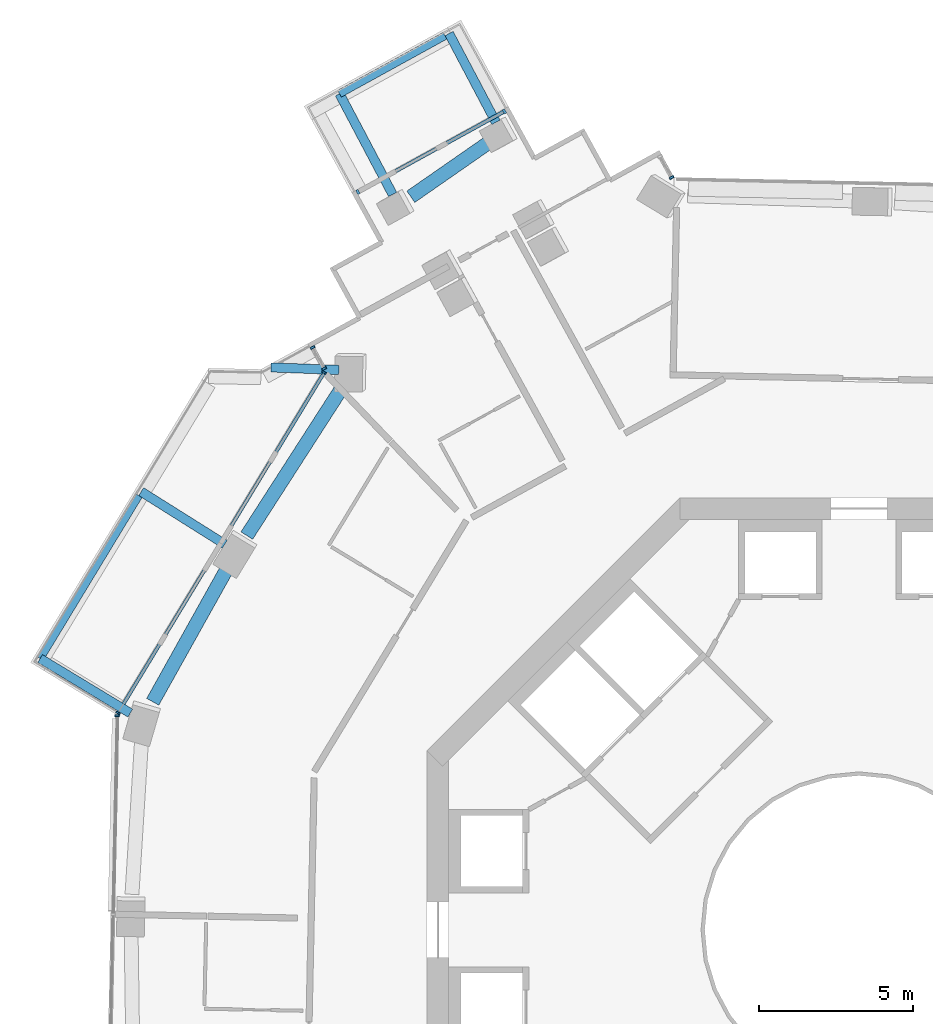
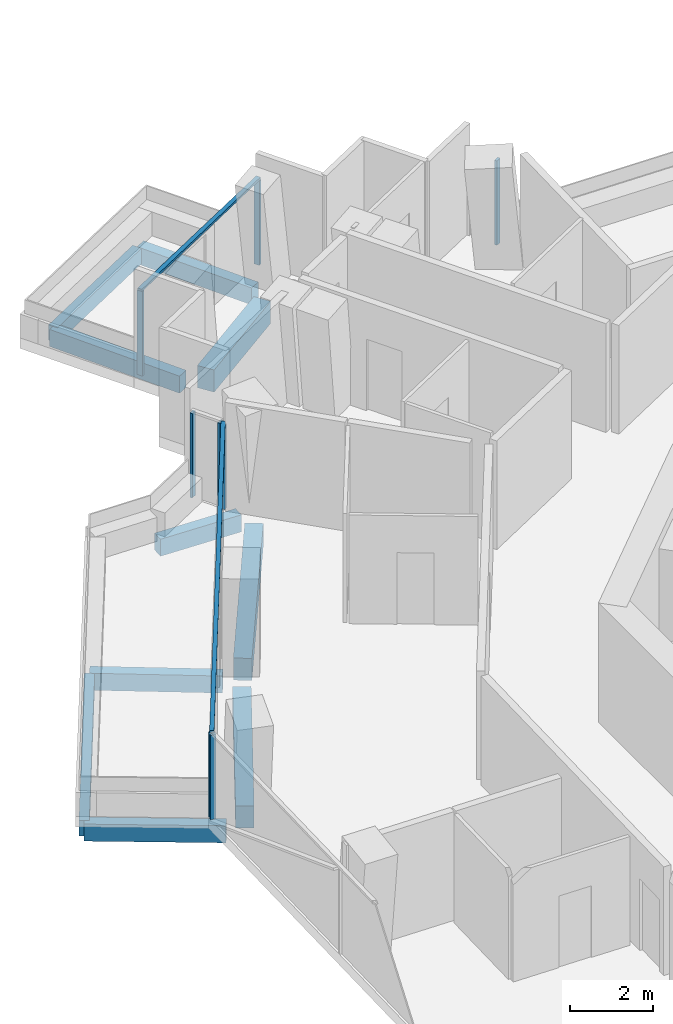
# One storey, part 7 of 22: 10 beams, 10 members, 5 elements without a shape of their own.
"""IFC4 building model written with IfcOpenShell, lengths in metres."""

from ifc_helpers import new_model, si_unit, direction, frame, origin, origin_2d, place, context, subcontext, project, spatial, rectangle, extrude, material, layer, layer_set, material_profile, profile_set, type_object, element, aggregate, save


model = new_model("IFC4")

# Units and contexts
model_context = context("Model", 3, precision=1e-05, world=origin(), true_north=direction((0.0, 1.0)))
body_context = subcontext(model_context, "Body", "Model", "MODEL_VIEW")
ifc_project = project(units=[si_unit("LENGTHUNIT", "METRE"), si_unit("AREAUNIT", "SQUARE_METRE"), si_unit("VOLUMEUNIT", "CUBIC_METRE"), si_unit("PLANEANGLEUNIT", "RADIAN"), si_unit("MASSUNIT", "GRAM", prefix="KILO")], contexts=[model_context])

# Site, building, storey
site_placement = place(None, origin())
site = spatial("IfcSite", under=ifc_project, at=site_placement, CompositionType="ELEMENT")
building_placement = place(site_placement, origin())
building = spatial("IfcBuilding", under=site, at=building_placement, Name="Verdalira Terraces Hotel", CompositionType="ELEMENT")
storey_placement = place(building_placement, frame((0.0, 0.0, 150.5)))
storey = spatial("IfcBuildingStorey", under=building, at=storey_placement, Name="L36", CompositionType="ELEMENT", Elevation=150.5)

# Beams
ifc_material_1 = material(Name="Concrete C40", Category="concrete")
ifc_material_profile_1 = material_profile(ifc_material_1, rectangle(XDim=0.300049, YDim=0.5, at=origin_2d()), Name="RC 300X500")
ifc_profile_set_1 = profile_set([ifc_material_profile_1], Name="Concrete C40")
beam_type_1 = type_object("IfcBeamType", Name="Balcony cantilever beam RC 300X500 C40", PredefinedType="BEAM", material=ifc_profile_set_1)
beam_1_placement = place(storey_placement, frame((-11.766113, 26.173584, -0.560059), z_axis=(-0.466998195, 0.884258269, 0.0), x_axis=(-0.884258269, -0.466998195, 0.0)))
element("IfcBeam", 1, at=beam_1_placement, inside=storey, type_object=beam_type_1, Name="Balcony cantilever beam R05-1", PredefinedType="BEAM", context=body_context, shape_type="SweptSolid", body=[
    extrude(rectangle(XDim=0.300049, YDim=0.5, at=origin_2d()), origin(), (0.0, 0.0, 1.0), 3.254395),
])
beam_2_placement = place(storey_placement, frame((-15.115479, 23.837158, -0.560059), z_axis=(-0.466987261, 0.884264043, 0.0), x_axis=(-0.884264043, -0.466987261, 0.0)))
element("IfcBeam", 2, at=beam_2_placement, inside=storey, type_object=beam_type_1, Name="Balcony cantilever beam R05-2", PredefinedType="BEAM", context=body_context, shape_type="SweptSolid", body=[
    extrude(rectangle(XDim=0.300049, YDim=0.5, at=origin_2d()), origin(), (0.0, 0.0, 1.0), 3.688232),
])
beam_3_placement = place(storey_placement, frame((-20.556396, 12.499023, -0.560059), z_axis=(-0.846551116, 0.532307437, 0.0), x_axis=(-0.532307437, -0.846551116, 0.0)))
element("IfcBeam", 3, at=beam_3_placement, inside=storey, type_object=beam_type_1, Name="Balcony cantilever beam R10-1", PredefinedType="BEAM", context=body_context, shape_type="SweptSolid", body=[
    extrude(rectangle(XDim=0.300049, YDim=0.5, at=origin_2d()), origin(), (0.0, 0.0, 1.0), 3.200928),
])
beam_4_placement = place(storey_placement, frame((-23.618408, 7.02417, -0.560059), z_axis=(-0.855367633, 0.51802144, 0.0), x_axis=(-0.51802144, -0.855367633, 0.0)))
element("IfcBeam", 4, at=beam_4_placement, inside=storey, type_object=beam_type_1, Name="Balcony cantilever beam R10-2", PredefinedType="BEAM", context=body_context, shape_type="SweptSolid", body=[
    extrude(rectangle(XDim=0.300049, YDim=0.5, at=origin_2d()), origin(), (0.0, 0.0, 1.0), 3.417236),
])
beam_5_placement = place(storey_placement, frame((-16.858398, 18.147705, -0.560059), z_axis=(-0.999291208, 0.037644152, 0.0), x_axis=(-0.037644152, -0.999291208, 0.0)))
element("IfcBeam", 5, at=beam_5_placement, inside=storey, type_object=beam_type_1, Name="Balcony cantilever beam R10-3", PredefinedType="BEAM", context=body_context, shape_type="SweptSolid", body=[
    extrude(rectangle(XDim=0.300049, YDim=0.5, at=origin_2d()), origin(), (0.0, 0.0, 1.0), 2.198486),
])
ifc_material_2 = material(Name="Concrete C40", Category="concrete")
ifc_material_profile_2 = material_profile(ifc_material_2, rectangle(XDim=0.25, YDim=0.449951, at=origin_2d()), Name="RC 250X450")
ifc_profile_set_2 = profile_set([ifc_material_profile_2], Name="Concrete C40")
beam_type_2 = type_object("IfcBeamType", Name="Balcony edge beam RC 250X450 C40", PredefinedType="BEAM", material=ifc_profile_set_2)
beam_6_placement = place(storey_placement, frame((-13.417236, 28.979004, -0.534912), z_axis=(-0.87632285, -0.481724259, 0.0), x_axis=(0.481724259, -0.87632285, 0.0)))
element("IfcBeam", 6, at=beam_6_placement, inside=storey, type_object=beam_type_2, Name="Balcony edge beam R05-1", PredefinedType="BEAM", context=body_context, shape_type="SweptSolid", body=[
    extrude(rectangle(XDim=0.25, YDim=0.449951, at=origin_2d()), origin(), (0.0, 0.0, 1.0), 3.90332),
])
beam_7_placement = place(storey_placement, frame((-23.34375, 14.074463, -0.534912), z_axis=(-0.518033469, -0.855360348, 0.0), x_axis=(0.855360348, -0.518033469, 0.0)))
element("IfcBeam", 7, at=beam_7_placement, inside=storey, type_object=beam_type_2, Name="Balcony edge beam R10-1", PredefinedType="BEAM", context=body_context, shape_type="SweptSolid", body=[
    extrude(rectangle(XDim=0.25, YDim=0.449951, at=origin_2d()), origin(), (0.0, 0.0, 1.0), 6.172852),
])

# Curtain wall, members
ifc_material_3 = material(Name="Clear glass", Category="glass")
ifc_layer_1 = layer(ifc_material_3, 0.14990234375)
ifc_layer_set_1 = layer_set([ifc_layer_1], Name="CW1 curtain wall")
curtain_wall_type_1 = type_object("IfcCurtainWallType", Name="CW1 curtain wall", PredefinedType="NOTDEFINED", material=ifc_layer_set_1)
curtain_wall_1_placement = place(storey_placement, origin())
curtain_wall_1 = element("IfcCurtainWall", 8, at=curtain_wall_1_placement, inside=storey, type_object=curtain_wall_type_1, Name="CW1 curtain wall L36 edge 11", PredefinedType="NOTDEFINED")
ifc_material_4 = material(Name="Terracotta frame", Category="masonry")
ifc_material_profile_3 = material_profile(ifc_material_4, rectangle(XDim=0.060059, YDim=0.149902, at=origin_2d()), Name="MU 60x150")
ifc_profile_set_3 = profile_set([ifc_material_profile_3], Name="Terracotta frame")
member_type_1 = type_object("IfcMemberType", Name="CW1 mullion 60x150", PredefinedType="MULLION", material=ifc_profile_set_3)
member_1_placement = place(storey_placement, frame((-17.333984, 18.061768, 0.0), z_axis=(0.0, 0.0, 1.0), x_axis=(-0.518027009, -0.85536426, 0.0)))
member_1 = element("IfcMember", 9, at=member_1_placement, type_object=member_type_1, Name="CW1 mullion", PredefinedType="MULLION", context=body_context, shape_type="SweptSolid", body=[
    extrude(rectangle(XDim=0.060059, YDim=0.149902, at=origin_2d()), origin(), (0.0, 0.0, 1.0), 2.475098),
])
member_2_placement = place(storey_placement, frame((-24.016357, 7.027832, 0.0), z_axis=(0.0, 0.0, 1.0), x_axis=(-0.518027009, -0.85536426, 0.0)))
member_2 = element("IfcMember", 10, at=member_2_placement, type_object=member_type_1, Name="CW1 mullion", PredefinedType="MULLION", context=body_context, shape_type="SweptSolid", body=[
    extrude(rectangle(XDim=0.060059, YDim=0.149902, at=origin_2d()), origin(), (0.0, 0.0, 1.0), 2.475098),
])

# Curtain wall, member
curtain_wall_2_placement = place(storey_placement, origin())
curtain_wall_2 = element("IfcCurtainWall", 11, at=curtain_wall_2_placement, inside=storey, type_object=curtain_wall_type_1, Name="CW1 curtain wall L36 edge 12", PredefinedType="NOTDEFINED")
member_3_placement = place(storey_placement, frame((-24.043457, 6.934814, 0.0), z_axis=(0.0, 0.0, 1.0), x_axis=(-0.02094242, -0.999780683, 0.0)))
member_3 = element("IfcMember", 12, at=member_3_placement, type_object=member_type_1, Name="CW1 mullion", PredefinedType="MULLION", context=body_context, shape_type="SweptSolid", body=[
    extrude(rectangle(XDim=0.060059, YDim=0.149902, at=origin_2d()), origin(), (0.0, 0.0, 1.0), 2.475098),
])
aggregate(curtain_wall_2, [member_3])

# Member
ifc_material_5 = material(Name="Terracotta frame", Category="masonry")
ifc_material_profile_4 = material_profile(ifc_material_5, rectangle(XDim=0.110107, YDim=0.064941, at=origin_2d()), Name="TR 65x110")
ifc_profile_set_4 = profile_set([ifc_material_profile_4], Name="Terracotta frame")
member_type_2 = type_object("IfcMemberType", Name="CW1 transom 65x110", PredefinedType="USERDEFINED", material=ifc_profile_set_4)
member_4_placement = place(storey_placement, frame((-17.318359, 18.087402, 2.507568), z_axis=(-0.51803741, -0.855357961, 0.0), x_axis=(0.855357961, -0.51803741, 0.0)))
member_4 = element("IfcMember", 13, at=member_4_placement, type_object=member_type_2, Name="CW1 transom", ObjectType="TRANSOM", PredefinedType="USERDEFINED", context=body_context, shape_type="SweptSolid", body=[
    extrude(rectangle(XDim=0.110107, YDim=0.064941, at=origin_2d()), origin(), (0.0, 0.0, 1.0), 12.959717),
])

aggregate(curtain_wall_1, [member_1, member_2, member_4])

# Curtain wall, member
ifc_material_6 = material(Name="Clear glass", Category="glass")
ifc_layer_2 = layer(ifc_material_6, 0.14990234375)
ifc_layer_set_2 = layer_set([ifc_layer_2], Name="CW2 curtain wall")
curtain_wall_type_2 = type_object("IfcCurtainWallType", Name="CW2 curtain wall", PredefinedType="NOTDEFINED", material=ifc_layer_set_2)
curtain_wall_3_placement = place(storey_placement, origin())
curtain_wall_3 = element("IfcCurtainWall", 14, at=curtain_wall_3_placement, inside=storey, type_object=curtain_wall_type_2, Name="CW2 curtain wall L36 edge 0", PredefinedType="NOTDEFINED")
ifc_material_7 = material(Name="Terracotta frame", Category="masonry")
ifc_material_profile_5 = material_profile(ifc_material_7, rectangle(XDim=0.070068, YDim=0.149902, at=origin_2d()), Name="MU 70x150")
ifc_profile_set_5 = profile_set([ifc_material_profile_5], Name="Terracotta frame")
member_type_3 = type_object("IfcMemberType", Name="CW2 mullion 70x150", PredefinedType="MULLION", material=ifc_profile_set_5)
member_5_placement = place(storey_placement, frame((-6.073242, 24.383789, 0.0), z_axis=(0.0, 0.0, 1.0), x_axis=(-0.481753674, 0.87630668, 0.0)))
member_5 = element("IfcMember", 15, at=member_5_placement, type_object=member_type_3, Name="CW2 mullion", PredefinedType="MULLION", context=body_context, shape_type="SweptSolid", body=[
    extrude(rectangle(XDim=0.070068, YDim=0.149902, at=origin_2d()), origin(), (0.0, 0.0, 1.0), 2.475098),
])
aggregate(curtain_wall_3, [member_5])

# Curtain wall, members
curtain_wall_4_placement = place(storey_placement, origin())
curtain_wall_4 = element("IfcCurtainWall", 16, at=curtain_wall_4_placement, inside=storey, type_object=curtain_wall_type_2, Name="CW2 curtain wall L36 edge 10", PredefinedType="NOTDEFINED")
member_6_placement = place(storey_placement, frame((-17.709473, 18.876709, 0.0), z_axis=(0.0, 0.0, 1.0), x_axis=(0.481753674, -0.87630668, 0.0)))
member_6 = element("IfcMember", 17, at=member_6_placement, type_object=member_type_3, Name="CW2 mullion", PredefinedType="MULLION", context=body_context, shape_type="SweptSolid", body=[
    extrude(rectangle(XDim=0.070068, YDim=0.149902, at=origin_2d()), origin(), (0.0, 0.0, 1.0), 2.475098),
])
member_7_placement = place(storey_placement, frame((-17.33374, 18.193115, 0.0), z_axis=(0.0, 0.0, 1.0), x_axis=(0.481753674, -0.87630668, 0.0)))
member_7 = element("IfcMember", 18, at=member_7_placement, type_object=member_type_3, Name="CW2 mullion", PredefinedType="MULLION", context=body_context, shape_type="SweptSolid", body=[
    extrude(rectangle(XDim=0.070068, YDim=0.149902, at=origin_2d()), origin(), (0.0, 0.0, 1.0), 2.475098),
])
aggregate(curtain_wall_4, [member_6, member_7])

ifc_material_8 = material(Name="Clear glass", Category="glass")
ifc_layer_3 = layer(ifc_material_8, 0.14990234375)
ifc_layer_set_3 = layer_set([ifc_layer_3], Name="CW3 curtain wall")
curtain_wall_type_3 = type_object("IfcCurtainWallType", Name="CW3 curtain wall", PredefinedType="NOTDEFINED", material=ifc_layer_set_3)
curtain_wall_5_placement = place(storey_placement, origin())
curtain_wall_5 = element("IfcCurtainWall", 19, at=curtain_wall_5_placement, inside=storey, type_object=curtain_wall_type_3, Name="CW3 curtain wall L36 edge 5", PredefinedType="NOTDEFINED")
ifc_material_9 = material(Name="Terracotta frame", Category="masonry")
ifc_material_profile_6 = material_profile(ifc_material_9, rectangle(XDim=0.080078, YDim=0.149902, at=origin_2d()), Name="MU 80x150")
ifc_profile_set_6 = profile_set([ifc_material_profile_6], Name="Terracotta frame")
member_type_4 = type_object("IfcMemberType", Name="CW3 mullion 80x150", PredefinedType="MULLION", material=ifc_profile_set_6)
member_8_placement = place(storey_placement, frame((-11.491699, 26.528564, 0.0), z_axis=(0.0, 0.0, 1.0), x_axis=(-0.87630668, -0.481753674, 0.0)))
member_8 = element("IfcMember", 20, at=member_8_placement, type_object=member_type_4, Name="CW3 mullion", PredefinedType="MULLION", context=body_context, shape_type="SweptSolid", body=[
    extrude(rectangle(XDim=0.080078, YDim=0.149902, at=origin_2d()), origin(), (0.0, 0.0, 1.0), 2.475098),
])
member_9_placement = place(storey_placement, frame((-16.241211, 23.91748, 0.0), z_axis=(0.0, 0.0, 1.0), x_axis=(-0.87630668, -0.481753674, 0.0)))
member_9 = element("IfcMember", 21, at=member_9_placement, type_object=member_type_4, Name="CW3 mullion", PredefinedType="MULLION", context=body_context, shape_type="SweptSolid", body=[
    extrude(rectangle(XDim=0.080078, YDim=0.149902, at=origin_2d()), origin(), (0.0, 0.0, 1.0), 2.475098),
])
ifc_material_10 = material(Name="Terracotta frame", Category="masonry")
ifc_material_profile_7 = material_profile(ifc_material_10, rectangle(XDim=0.120117, YDim=0.064941, at=origin_2d()), Name="TR 65x120")
ifc_profile_set_7 = profile_set([ifc_material_profile_7], Name="Terracotta frame")
member_type_5 = type_object("IfcMemberType", Name="CW3 transom 65x120", PredefinedType="USERDEFINED", material=ifc_profile_set_7)
member_10_placement = place(storey_placement, frame((-11.456543, 26.547852, 2.507568), z_axis=(-0.876311484, -0.481744936, 0.0), x_axis=(0.481744936, -0.876311484, 0.0)))
member_10 = element("IfcMember", 22, at=member_10_placement, type_object=member_type_5, Name="CW3 transom", ObjectType="TRANSOM", PredefinedType="USERDEFINED", context=body_context, shape_type="SweptSolid", body=[
    extrude(rectangle(XDim=0.120117, YDim=0.064941, at=origin_2d()), origin(), (0.0, 0.0, 1.0), 5.500244),
])
aggregate(curtain_wall_5, [member_8, member_9, member_10])

# Beams
ifc_material_11 = material(Name="Concrete C50", Category="concrete")
ifc_material_profile_8 = material_profile(ifc_material_11, rectangle(XDim=0.449951, YDim=0.649902, at=origin_2d()), Name="RC 450X650")
ifc_profile_set_8 = profile_set([ifc_material_profile_8], Name="Concrete C50")
beam_type_3 = type_object("IfcBeamType", Name="Spandrel beam RC 450X650 C50", PredefinedType="SPANDREL", material=ifc_profile_set_8)
beam_8_placement = place(storey_placement, frame((-11.904785, 25.583496, -0.63501), z_axis=(-0.821056359, -0.570847138, 0.0), x_axis=(0.570847138, -0.821056359, 0.0)))
element("IfcBeam", 23, at=beam_8_placement, inside=storey, type_object=beam_type_3, Name="Spandrel beam B01", PredefinedType="SPANDREL", context=body_context, shape_type="SweptSolid", body=[
    extrude(rectangle(XDim=0.449951, YDim=0.649902, at=origin_2d()), origin(), (0.0, 0.0, 1.0), 3.192627),
])
beam_9_placement = place(storey_placement, frame((-16.772217, 17.547119, -0.63501), z_axis=(-0.541307909, -0.840824445, 0.0), x_axis=(0.840824445, -0.541307909, 0.0)))
element("IfcBeam", 24, at=beam_9_placement, inside=storey, type_object=beam_type_3, Name="Spandrel beam B02", PredefinedType="SPANDREL", context=body_context, shape_type="SweptSolid", body=[
    extrude(rectangle(XDim=0.449951, YDim=0.649902, at=origin_2d()), origin(), (0.0, 0.0, 1.0), 5.671631),
])
beam_10_placement = place(storey_placement, frame((-20.44751, 11.769043, -0.63501), z_axis=(-0.487527664, -0.87310754, 0.0), x_axis=(0.87310754, -0.487527664, 0.0)))
element("IfcBeam", 25, at=beam_10_placement, inside=storey, type_object=beam_type_3, Name="Spandrel beam B03", PredefinedType="SPANDREL", context=body_context, shape_type="SweptSolid", body=[
    extrude(rectangle(XDim=0.449951, YDim=0.649902, at=origin_2d()), origin(), (0.0, 0.0, 1.0), 5.012207),
])

save(model, "model.ifc")
